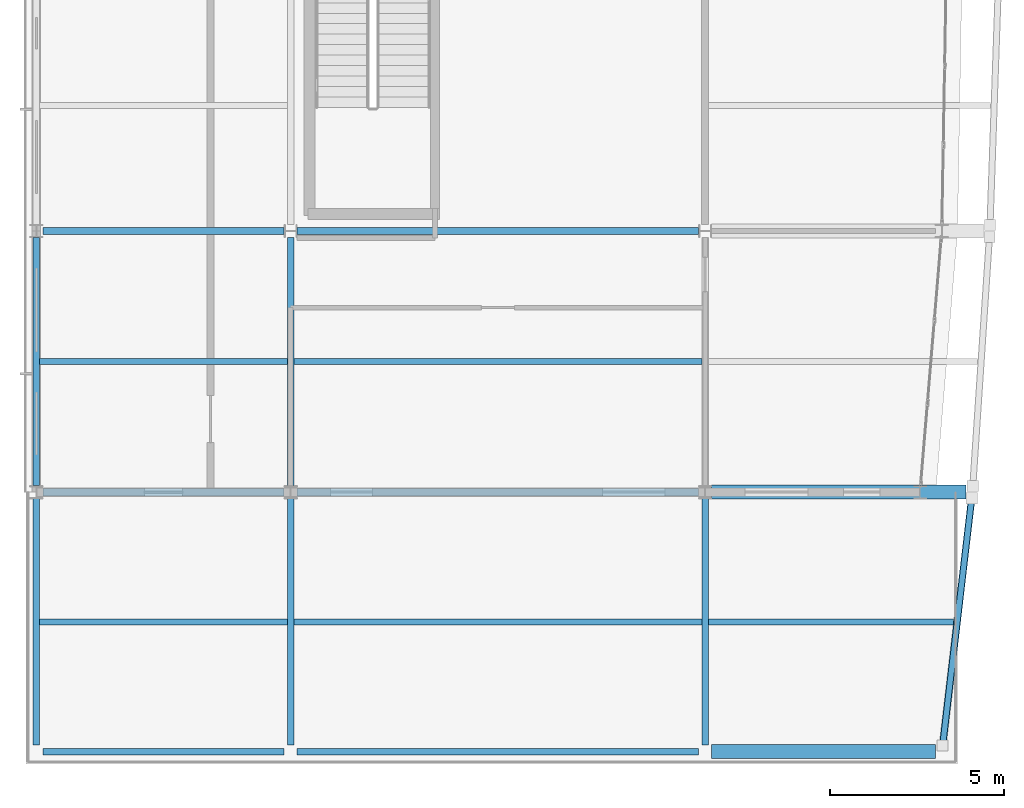
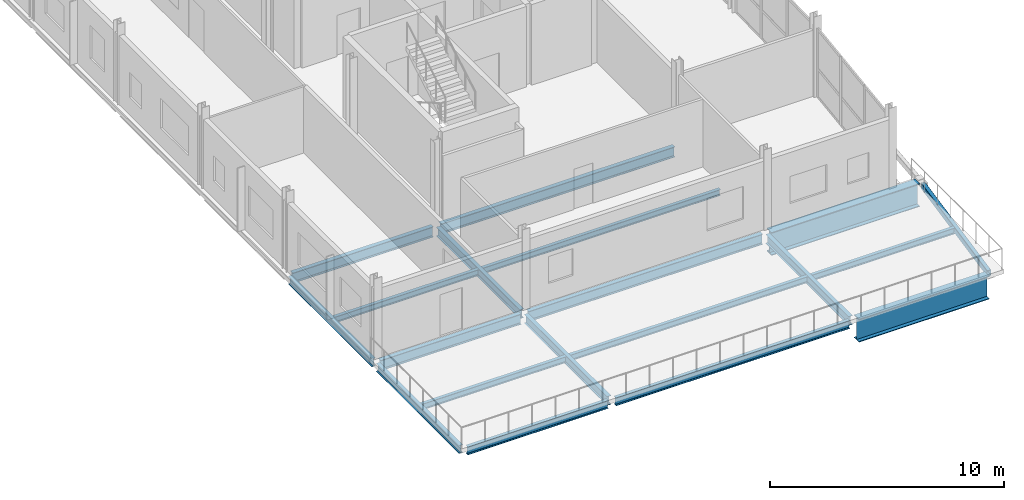
# One storey, part 2 of 19: 19 beams.
"""IFC4 building model written with IfcOpenShell, lengths in metres."""

from ifc_helpers import new_model, si_unit, direction, frame, origin, origin_2d, place, context, subcontext, project, spatial, hollow_rectangle, i_section, extrude, material, material_profile, profile_set, type_object, element, save


model = new_model("IFC4")

# Units and contexts
model_context = context("Model", 3, precision=1e-05, world=origin(), true_north=direction((0.0, 1.0)))
body_context = subcontext(model_context, "Body", "Model", "MODEL_VIEW")
ifc_project = project(units=[si_unit("LENGTHUNIT", "METRE"), si_unit("AREAUNIT", "SQUARE_METRE"), si_unit("VOLUMEUNIT", "CUBIC_METRE"), si_unit("PLANEANGLEUNIT", "RADIAN"), si_unit("MASSUNIT", "GRAM", prefix="KILO")], contexts=[model_context])

# Site, building, storey
site_placement = place(None, origin())
site = spatial("IfcSite", under=ifc_project, at=site_placement, CompositionType="ELEMENT")
building_placement = place(site_placement, origin())
building = spatial("IfcBuilding", under=site, at=building_placement, Name="Quillay Park Conservatory", CompositionType="ELEMENT")
storey_placement = place(building_placement, frame((0.0, 0.0, 35.10009765625)))
storey = spatial("IfcBuildingStorey", under=building, at=storey_placement, Name="L08", CompositionType="ELEMENT", Elevation=35.10009765625)

# Beams
ifc_material_1 = material(Name="Steel ASTM A992 Grade 50", Category="steel")
ifc_material_profile_1 = material_profile(ifc_material_1, i_section(OverallWidth=0.166015625, OverallDepth=0.31298828125, WebThickness=0.006591796875, FlangeThickness=0.01123046875, FilletRadius=0.010009765625, at=origin_2d()), Name="W310x45")
ifc_profile_set_1 = profile_set([ifc_material_profile_1], Name="Steel ASTM A992 Grade 50")
beam_type_1 = type_object("IfcBeamType", Name="COMPOSITE FLOOR JOIST W310 X45", PredefinedType="JOIST", material=ifc_profile_set_1)
beam_1_placement = place(storey_placement, frame((0.639892578125, 66.77490234375, -0.37158203125), z_axis=(1.0, 0.0, 0.0), x_axis=(0.0, 1.0, 0.0)))
element("IfcBeam", 1, at=beam_1_placement, inside=storey, type_object=beam_type_1, Name="L08 beam BM-J-0610", PredefinedType="JOIST", context=body_context, shape_type="SweptSolid", body=[
    extrude(i_section(OverallWidth=0.166015625, OverallDepth=0.31298828125, WebThickness=0.006591796875, FlangeThickness=0.01123046875, FilletRadius=0.010009765625, at=origin_2d()), origin(), (0.0, 0.0, 1.0), 7.114013671875),
])
beam_2_placement = place(storey_placement, frame((19.845947265625, 66.77490234375, -0.37158203125), z_axis=(1.0, 0.0, 0.0), x_axis=(0.0, 1.0, 0.0)))
element("IfcBeam", 2, at=beam_2_placement, inside=storey, type_object=beam_type_1, Name="L08 beam BM-J-0611", PredefinedType="JOIST", context=body_context, shape_type="SweptSolid", body=[
    extrude(i_section(OverallWidth=0.166015625, OverallDepth=0.31298828125, WebThickness=0.006591796875, FlangeThickness=0.01123046875, FilletRadius=0.010009765625, at=origin_2d()), origin(), (0.0, 0.0, 1.0), 7.04150390625),
])
beam_3_placement = place(storey_placement, frame((7.946044921875, 66.77490234375, -0.37158203125), z_axis=(1.0, 0.0, 0.0), x_axis=(0.0, 1.0, 0.0)))
element("IfcBeam", 3, at=beam_3_placement, inside=storey, type_object=beam_type_1, Name="L08 beam BM-J-0612", PredefinedType="JOIST", context=body_context, shape_type="SweptSolid", body=[
    extrude(i_section(OverallWidth=0.166015625, OverallDepth=0.31298828125, WebThickness=0.006591796875, FlangeThickness=0.01123046875, FilletRadius=0.010009765625, at=origin_2d()), origin(), (0.0, 0.0, 1.0), 11.7080078125),
])
beam_4_placement = place(storey_placement, frame((0.639892578125, 74.25, -0.37158203125), z_axis=(1.0, 0.0, 0.0), x_axis=(0.0, 1.0, 0.0)))
element("IfcBeam", 4, at=beam_4_placement, inside=storey, type_object=beam_type_1, Name="L08 beam BM-J-0617", PredefinedType="JOIST", context=body_context, shape_type="SweptSolid", body=[
    extrude(i_section(OverallWidth=0.166015625, OverallDepth=0.31298828125, WebThickness=0.006591796875, FlangeThickness=0.01123046875, FilletRadius=0.010009765625, at=origin_2d()), origin(), (0.0, 0.0, 1.0), 7.114013671875),
])
beam_5_placement = place(storey_placement, frame((7.946044921875, 74.25, -0.37158203125), z_axis=(1.0, 0.0, 0.0), x_axis=(0.0, 1.0, 0.0)))
element("IfcBeam", 5, at=beam_5_placement, inside=storey, type_object=beam_type_1, Name="L08 beam BM-J-0619", PredefinedType="JOIST", context=body_context, shape_type="SweptSolid", body=[
    extrude(i_section(OverallWidth=0.166015625, OverallDepth=0.31298828125, WebThickness=0.006591796875, FlangeThickness=0.01123046875, FilletRadius=0.010009765625, at=origin_2d()), origin(), (0.0, 0.0, 1.0), 11.7080078125),
])
ifc_material_2 = material(Name="Steel S355J2H", Category="steel")
ifc_material_profile_2 = material_profile(ifc_material_2, hollow_rectangle(XDim=0.199951171875, YDim=0.300048828125, WallThickness=0.012451171875, InnerFilletRadius=0.012451171875, OuterFilletRadius=0.02490234375, at=origin_2d()), Name="RHS300x200x12.5")
ifc_profile_set_2 = profile_set([ifc_material_profile_2], Name="Steel S355J2H")
beam_type_2 = type_object("IfcBeamType", Name="PERIMETER SPANDREL BEAM RHS300", PredefinedType="SPANDREL", material=ifc_profile_set_2)
beam_6_placement = place(storey_placement, frame((26.57177734375, 63.234619140625, -0.364990234375), z_axis=(0.116638579995, 0.993174426602, 0.0), x_axis=(-0.993174426602, 0.116638579995, 0.0)))
element("IfcBeam", 6, at=beam_6_placement, inside=storey, type_object=beam_type_2, Name="L08 beam BM-SPE-0607", PredefinedType="SPANDREL", context=body_context, shape_type="SweptSolid", body=[
    extrude(hollow_rectangle(XDim=0.199951171875, YDim=0.300048828125, WallThickness=0.012451171875, InnerFilletRadius=0.012451171875, OuterFilletRadius=0.02490234375, at=origin_2d()), origin(), (0.0, 0.0, 1.0), 7.129150390625),
])
ifc_material_3 = material(Name="Steel ASTM A992 Grade 50", Category="steel")
ifc_material_profile_3 = material_profile(ifc_material_3, i_section(OverallWidth=0.179931640625, OverallDepth=0.4130859375, WebThickness=0.009765625, FlangeThickness=0.01611328125, FilletRadius=0.011962890625, at=origin_2d()), Name="W410x74")
ifc_profile_set_3 = profile_set([ifc_material_profile_3], Name="Steel ASTM A992 Grade 50")
beam_type_3 = type_object("IfcBeamType", Name="PERIMETER SPANDREL BEAM W410 X74", PredefinedType="SPANDREL", material=ifc_profile_set_3)
beam_7_placement = place(storey_placement, frame((0.737060546875, 63.050048828125, -0.421630859375), z_axis=(1.0, 0.0, 0.0), x_axis=(0.0, 1.0, 0.0)))
element("IfcBeam", 7, at=beam_7_placement, inside=storey, type_object=beam_type_3, Name="L08 beam BM-SP-0584", PredefinedType="SPANDREL", context=body_context, shape_type="SweptSolid", body=[
    extrude(i_section(OverallWidth=0.179931640625, OverallDepth=0.4130859375, WebThickness=0.009765625, FlangeThickness=0.01611328125, FilletRadius=0.011962890625, at=origin_2d()), origin(), (0.0, 0.0, 1.0), 6.926025390625),
])
beam_8_placement = place(storey_placement, frame((8.037109375, 63.050048828125, -0.421630859375), z_axis=(1.0, 0.0, 0.0), x_axis=(0.0, 1.0, 0.0)))
element("IfcBeam", 8, at=beam_8_placement, inside=storey, type_object=beam_type_3, Name="L08 beam BM-SP-0585", PredefinedType="SPANDREL", context=body_context, shape_type="SweptSolid", body=[
    extrude(i_section(OverallWidth=0.179931640625, OverallDepth=0.4130859375, WebThickness=0.009765625, FlangeThickness=0.01611328125, FilletRadius=0.011962890625, at=origin_2d()), origin(), (0.0, 0.0, 1.0), 11.52587890625),
])
beam_9_placement = place(storey_placement, frame((0.550048828125, 63.236083984375, -0.421630859375), z_axis=(0.0, 1.0, 0.0), x_axis=(-1.0, 0.0, 0.0)))
element("IfcBeam", 9, at=beam_9_placement, inside=storey, type_object=beam_type_3, Name="L08 beam BM-SPW-0606", PredefinedType="SPANDREL", context=body_context, shape_type="SweptSolid", body=[
    extrude(i_section(OverallWidth=0.179931640625, OverallDepth=0.4130859375, WebThickness=0.009765625, FlangeThickness=0.01611328125, FilletRadius=0.011962890625, at=origin_2d()), origin(), (0.0, 0.0, 1.0), 7.077880859375),
])
beam_10_placement = place(storey_placement, frame((0.550048828125, 70.68603515625, -0.421630859375), z_axis=(0.0, 1.0, 0.0), x_axis=(-1.0, 0.0, 0.0)))
element("IfcBeam", 10, at=beam_10_placement, inside=storey, type_object=beam_type_3, Name="L08 beam BM-SPW-0613", PredefinedType="SPANDREL", context=body_context, shape_type="SweptSolid", body=[
    extrude(i_section(OverallWidth=0.179931640625, OverallDepth=0.4130859375, WebThickness=0.009765625, FlangeThickness=0.01611328125, FilletRadius=0.011962890625, at=origin_2d()), origin(), (0.0, 0.0, 1.0), 7.1279296875),
])
ifc_material_4 = material(Name="Steel ASTM A992 Grade 50", Category="steel")
ifc_material_profile_4 = material_profile(ifc_material_4, i_section(OverallWidth=0.19189453125, OverallDepth=0.462890625, WebThickness=0.010498046875, FlangeThickness=0.017578125, FilletRadius=0.012939453125, at=origin_2d()), Name="W460x89")
ifc_profile_set_4 = profile_set([ifc_material_profile_4], Name="Steel ASTM A992 Grade 50")
beam_type_4 = type_object("IfcBeamType", Name="PRIMARY FLOOR GIRDER W460 X89", PredefinedType="BEAM", material=ifc_profile_set_4)
for number, where, z_axis, x_axis, name in (
    (11, (7.85009765625, 63.236083984375, -0.446533203125), (0.0, 1.0, 0.0), (-1.0, 0.0, 0.0), "L08 beam BM-GNS-0608"),
    (12, (19.75, 63.236083984375, -0.446533203125), (0.0, 1.0, 0.0), (-1.0, 0.0, 0.0), "L08 beam BM-GNS-0609"),
):
    element("IfcBeam", number, at=place(storey_placement, frame(where, z_axis=z_axis, x_axis=x_axis)), inside=storey, type_object=beam_type_4, Name=name, PredefinedType="BEAM", context=body_context, shape_type="SweptSolid", body=[
        extrude(i_section(OverallWidth=0.19189453125, OverallDepth=0.462890625, WebThickness=0.010498046875, FlangeThickness=0.017578125, FilletRadius=0.012939453125, at=origin_2d()), origin(), (0.0, 0.0, 1.0), 7.076904296875),
    ])
beam_11_placement = place(storey_placement, frame((7.85009765625, 70.68701171875, -0.446533203125), z_axis=(0.0, 1.0, 0.0), x_axis=(-1.0, 0.0, 0.0)))
element("IfcBeam", 13, at=beam_11_placement, inside=storey, type_object=beam_type_4, Name="L08 beam BM-GNS-0615", PredefinedType="BEAM", context=body_context, shape_type="SweptSolid", body=[
    extrude(i_section(OverallWidth=0.19189453125, OverallDepth=0.462890625, WebThickness=0.010498046875, FlangeThickness=0.017578125, FilletRadius=0.012939453125, at=origin_2d()), origin(), (0.0, 0.0, 1.0), 7.126953125),
])
ifc_material_5 = material(Name="Steel ASTM A992 Grade 50", Category="steel")
ifc_material_profile_5 = material_profile(ifc_material_5, i_section(OverallWidth=0.2109375, OverallDepth=0.5390625, WebThickness=0.01171875, FlangeThickness=0.018798828125, FilletRadius=0.013916015625, at=origin_2d()), Name="W530x109")
ifc_profile_set_5 = profile_set([ifc_material_profile_5], Name="Steel ASTM A992 Grade 50")
beam_type_5 = type_object("IfcBeamType", Name="PRIMARY FLOOR GIRDER W530 X109", PredefinedType="BEAM", material=ifc_profile_set_5)
beam_12_placement = place(storey_placement, frame((0.737060546875, 70.5, -0.484619140625), z_axis=(1.0, 0.0, 0.0), x_axis=(0.0, 1.0, 0.0)))
element("IfcBeam", 14, at=beam_12_placement, inside=storey, type_object=beam_type_5, Name="L08 beam BM-G-0587", PredefinedType="BEAM", context=body_context, shape_type="SweptSolid", body=[
    extrude(i_section(OverallWidth=0.2109375, OverallDepth=0.5390625, WebThickness=0.01171875, FlangeThickness=0.018798828125, FilletRadius=0.013916015625, at=origin_2d()), origin(), (0.0, 0.0, 1.0), 6.927001953125),
])
beam_13_placement = place(storey_placement, frame((8.035888671875, 70.5, -0.484619140625), z_axis=(1.0, 0.0, 0.0), x_axis=(0.0, 1.0, 0.0)))
element("IfcBeam", 15, at=beam_13_placement, inside=storey, type_object=beam_type_5, Name="L08 beam BM-G-0588", PredefinedType="BEAM", context=body_context, shape_type="SweptSolid", body=[
    extrude(i_section(OverallWidth=0.2109375, OverallDepth=0.5390625, WebThickness=0.01171875, FlangeThickness=0.018798828125, FilletRadius=0.013916015625, at=origin_2d()), origin(), (0.0, 0.0, 1.0), 11.528076171875),
])
beam_14_placement = place(storey_placement, frame((0.737060546875, 78.0, -0.484619140625), z_axis=(1.0, 0.0, 0.0), x_axis=(0.0, 1.0, 0.0)))
element("IfcBeam", 16, at=beam_14_placement, inside=storey, type_object=beam_type_5, Name="L08 beam BM-G-0590", PredefinedType="BEAM", context=body_context, shape_type="SweptSolid", body=[
    extrude(i_section(OverallWidth=0.2109375, OverallDepth=0.5390625, WebThickness=0.01171875, FlangeThickness=0.018798828125, FilletRadius=0.013916015625, at=origin_2d()), origin(), (0.0, 0.0, 1.0), 6.926025390625),
])
beam_15_placement = place(storey_placement, frame((8.037109375, 78.0, -0.484619140625), z_axis=(1.0, 0.0, 0.0), x_axis=(0.0, 1.0, 0.0)))
element("IfcBeam", 17, at=beam_15_placement, inside=storey, type_object=beam_type_5, Name="L08 beam BM-G-0591", PredefinedType="BEAM", context=body_context, shape_type="SweptSolid", body=[
    extrude(i_section(OverallWidth=0.2109375, OverallDepth=0.5390625, WebThickness=0.01171875, FlangeThickness=0.018798828125, FilletRadius=0.013916015625, at=origin_2d()), origin(), (0.0, 0.0, 1.0), 11.52587890625),
])
ifc_material_6 = material(Name="Steel ASTM A572 Grade 50", Category="steel")
ifc_material_profile_6 = material_profile(ifc_material_6, i_section(OverallWidth=0.39990234375, OverallDepth=1.199951171875, WebThickness=0.02001953125, FlangeThickness=0.0380859375, at=origin_2d()), Name="IG1200x400")
ifc_profile_set_6 = profile_set([ifc_material_profile_6], Name="Steel ASTM A572 Grade 50")
beam_type_6 = type_object("IfcBeamType", Name="TRANSFER PLATE GIRDER IG1200", PredefinedType="USERDEFINED", material=ifc_profile_set_6)
beam_16_placement = place(storey_placement, frame((19.93701171875, 63.050048828125, -0.815185546875), z_axis=(1.0, 0.0, 0.0), x_axis=(0.0, 1.0, 0.0)))
element("IfcBeam", 18, at=beam_16_placement, inside=storey, type_object=beam_type_6, Name="L08 beam BM-TG2-0586", ObjectType="TRANSFER PLATE GIRDER", PredefinedType="USERDEFINED", context=body_context, shape_type="SweptSolid", body=[
    extrude(i_section(OverallWidth=0.39990234375, OverallDepth=1.199951171875, WebThickness=0.02001953125, FlangeThickness=0.0380859375, at=origin_2d()), origin(), (0.0, 0.0, 1.0), 6.426025390625),
])
beam_17_placement = place(storey_placement, frame((19.93603515625, 70.5, -0.815185546875), z_axis=(1.0, 0.0, 0.0), x_axis=(0.0, 1.0, 0.0)))
element("IfcBeam", 19, at=beam_17_placement, inside=storey, type_object=beam_type_6, Name="L08 beam BM-TG2-0589", ObjectType="TRANSFER PLATE GIRDER", PredefinedType="USERDEFINED", context=body_context, shape_type="SweptSolid", body=[
    extrude(i_section(OverallWidth=0.39990234375, OverallDepth=1.199951171875, WebThickness=0.02001953125, FlangeThickness=0.0380859375, at=origin_2d()), origin(), (0.0, 0.0, 1.0), 7.302001953125),
])

save(model, "model.ifc")
